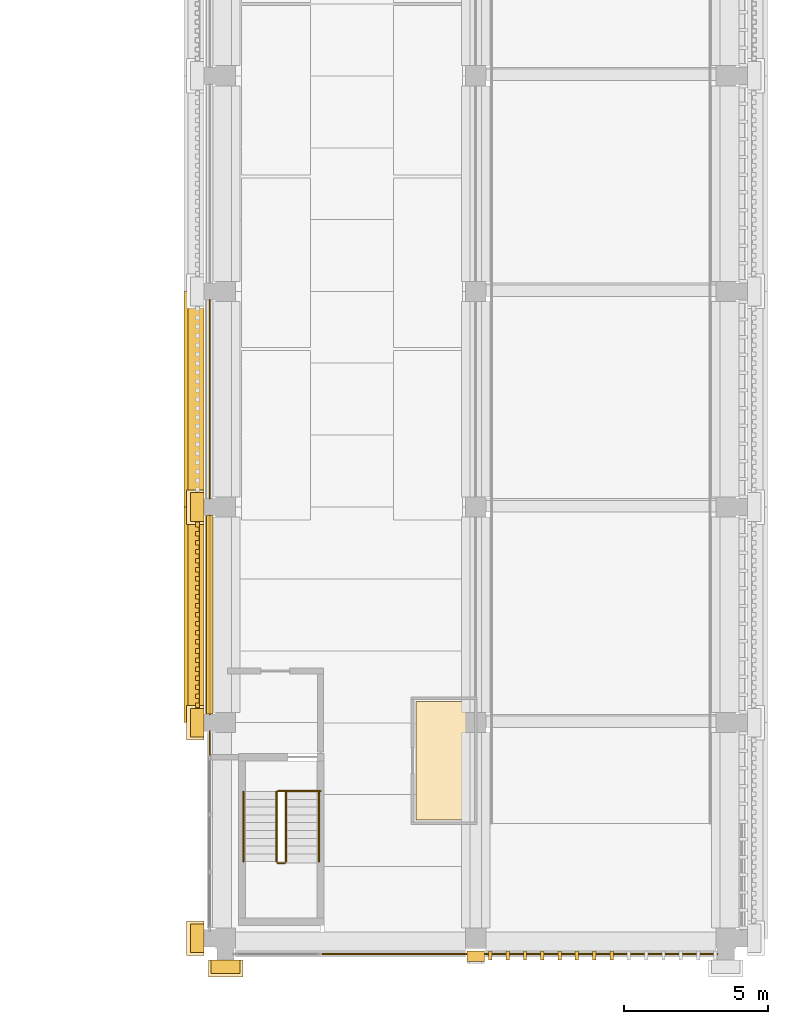
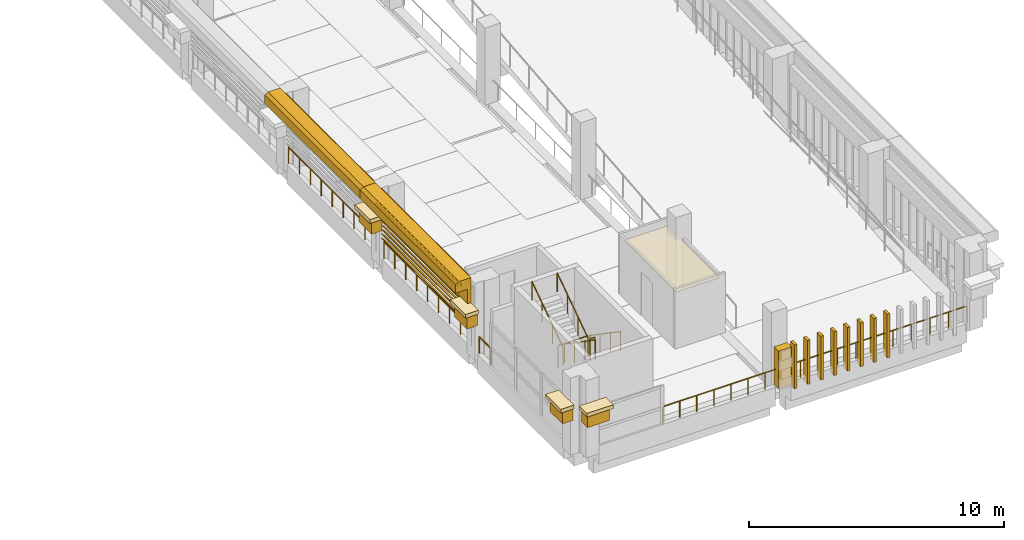
# One storey, part 18 of 25: 23 coverings, 11 railings, 5 shading devices.
"""IFC4 building model written with IfcOpenShell, lengths in metres."""

from ifc_helpers import new_model, si_unit, direction, frame, origin, origin_2d, place, context, subcontext, project, spatial, polyline, circle, outline, extrude, material, layer, layer_set, type_object, element, save


model = new_model("IFC4")

# Units and contexts
model_context = context("Model", 3, precision=1e-05, world=origin(), true_north=direction((0.0, 1.0)))
body_context = subcontext(model_context, "Body", "Model", "MODEL_VIEW")
ifc_project = project(units=[si_unit("LENGTHUNIT", "METRE"), si_unit("AREAUNIT", "SQUARE_METRE"), si_unit("VOLUMEUNIT", "CUBIC_METRE"), si_unit("PLANEANGLEUNIT", "RADIAN"), si_unit("MASSUNIT", "GRAM", prefix="KILO")], contexts=[model_context])

# Site, building, storey
site_placement = place(None, origin())
site = spatial("IfcSite", under=ifc_project, at=site_placement, CompositionType="ELEMENT")
building_placement = place(site_placement, origin())
building = spatial("IfcBuilding", under=site, at=building_placement, Name="Cour d'Honneur Mobility Palace", CompositionType="ELEMENT")
storey_placement = place(building_placement, frame((0.0, 0.0, 30.39990234375)))
storey = spatial("IfcBuildingStorey", under=building, at=storey_placement, Name="L08", CompositionType="ELEMENT", Elevation=30.39990234375)

# Railings
ifc_material_1 = material(Name="Painted steel", Category="steel")
railing_type_1 = type_object("IfcRailingType", Name="Balustrade", PredefinedType="BALUSTRADE", material=ifc_material_1)
railing_1_placement = place(storey_placement, frame((148.199951171875, -0.550048828125, 0.300048828125)))
element("IfcRailing", 1, at=railing_1_placement, inside=storey, type_object=railing_type_1, Name="Balustrade BAL-400", PredefinedType="BALUSTRADE", context=body_context, shape_type="SweptSolid", body=[
    extrude(circle(Radius=0.02392578125, at=origin_2d()), frame((0.0, 0.0, 0.77587890625), z_axis=(1.0, 0.0, 0.0), x_axis=(0.0, 1.0, 0.0)), (0.0, 0.0, 1.0), 5.400146484375),
    extrude(circle(Radius=0.02099609375, at=origin_2d()), origin(), (0.0, 0.0, 1.0), 0.751953125),
    extrude(circle(Radius=0.02099609375, at=origin_2d()), frame((0.771484375, 0.0, 0.0)), (0.0, 0.0, 1.0), 0.751953125),
    extrude(circle(Radius=0.02099609375, at=origin_2d()), frame((1.54296875, 0.0, 0.0)), (0.0, 0.0, 1.0), 0.751953125),
    extrude(circle(Radius=0.02099609375, at=origin_2d()), frame((2.314453125, 0.0, 0.0)), (0.0, 0.0, 1.0), 0.751953125),
    extrude(circle(Radius=0.02099609375, at=origin_2d()), frame((3.085693359375, 0.0, 0.0)), (0.0, 0.0, 1.0), 0.751953125),
    extrude(circle(Radius=0.02099609375, at=origin_2d()), frame((3.857177734375, 0.0, 0.0)), (0.0, 0.0, 1.0), 0.751953125),
    extrude(circle(Radius=0.02099609375, at=origin_2d()), frame((4.628662109375, 0.0, 0.0)), (0.0, 0.0, 1.0), 0.751953125),
    extrude(circle(Radius=0.02099609375, at=origin_2d()), frame((5.400146484375, 0.0, 0.0)), (0.0, 0.0, 1.0), 0.751953125),
])
railing_2_placement = place(storey_placement, frame((153.60009765625, -0.550048828125, 0.300048828125)))
element("IfcRailing", 2, at=railing_2_placement, inside=storey, type_object=railing_type_1, Name="Balustrade BAL-401", PredefinedType="BALUSTRADE", context=body_context, shape_type="SweptSolid", body=[
    extrude(circle(Radius=0.02392578125, at=origin_2d()), frame((0.0, 0.0, 0.77587890625), z_axis=(1.0, 0.0, 0.0), x_axis=(0.0, 1.0, 0.0)), (0.0, 0.0, 1.0), 8.39990234375),
    extrude(circle(Radius=0.02099609375, at=origin_2d()), origin(), (0.0, 0.0, 1.0), 0.751953125),
    extrude(circle(Radius=0.02099609375, at=origin_2d()), frame((0.840087890625, 0.0, 0.0)), (0.0, 0.0, 1.0), 0.751953125),
    extrude(circle(Radius=0.02099609375, at=origin_2d()), frame((1.679931640625, 0.0, 0.0)), (0.0, 0.0, 1.0), 0.751953125),
    extrude(circle(Radius=0.02099609375, at=origin_2d()), frame((2.52001953125, 0.0, 0.0)), (0.0, 0.0, 1.0), 0.751953125),
    extrude(circle(Radius=0.02099609375, at=origin_2d()), frame((3.35986328125, 0.0, 0.0)), (0.0, 0.0, 1.0), 0.751953125),
    extrude(circle(Radius=0.02099609375, at=origin_2d()), frame((4.199951171875, 0.0, 0.0)), (0.0, 0.0, 1.0), 0.751953125),
    extrude(circle(Radius=0.02099609375, at=origin_2d()), frame((5.0400390625, 0.0, 0.0)), (0.0, 0.0, 1.0), 0.751953125),
    extrude(circle(Radius=0.02099609375, at=origin_2d()), frame((5.8798828125, 0.0, 0.0)), (0.0, 0.0, 1.0), 0.751953125),
    extrude(circle(Radius=0.02099609375, at=origin_2d()), frame((6.719970703125, 0.0, 0.0)), (0.0, 0.0, 1.0), 0.751953125),
    extrude(circle(Radius=0.02099609375, at=origin_2d()), frame((7.559814453125, 0.0, 0.0)), (0.0, 0.0, 1.0), 0.751953125),
    extrude(circle(Radius=0.02099609375, at=origin_2d()), frame((8.39990234375, 0.0, 0.0)), (0.0, 0.0, 1.0), 0.751953125),
])
for number, where, name in (
    (3, (144.35009765625, 22.199951171875, 0.300048828125), "Balustrade BAL-409"),
    (4, (144.35009765625, 14.699951171875, 0.300048828125), "Balustrade BAL-410"),
):
    element("IfcRailing", number, at=place(storey_placement, frame(where)), inside=storey, type_object=railing_type_1, Name=name, PredefinedType="BALUSTRADE", context=body_context, shape_type="SweptSolid", body=[
        extrude(circle(Radius=0.02392578125, at=origin_2d()), frame((0.0, 0.0, 0.77587890625), z_axis=(0.0, -1.0, 0.0), x_axis=(1.0, 0.0, 0.0)), (0.0, 0.0, 1.0), 6.89990234375),
        extrude(circle(Radius=0.02099609375, at=origin_2d()), origin(), (0.0, 0.0, 1.0), 0.751953125),
        extrude(circle(Radius=0.02099609375, at=origin_2d()), frame((0.0, -0.862548828125, 0.0)), (0.0, 0.0, 1.0), 0.751953125),
        extrude(circle(Radius=0.02099609375, at=origin_2d()), frame((0.0, -1.72509765625, 0.0)), (0.0, 0.0, 1.0), 0.751953125),
        extrude(circle(Radius=0.02099609375, at=origin_2d()), frame((0.0, -2.58740234375, 0.0)), (0.0, 0.0, 1.0), 0.751953125),
        extrude(circle(Radius=0.02099609375, at=origin_2d()), frame((0.0, -3.449951171875, 0.0)), (0.0, 0.0, 1.0), 0.751953125),
        extrude(circle(Radius=0.02099609375, at=origin_2d()), frame((0.0, -4.3125, 0.0)), (0.0, 0.0, 1.0), 0.751953125),
        extrude(circle(Radius=0.02099609375, at=origin_2d()), frame((0.0, -5.1748046875, 0.0)), (0.0, 0.0, 1.0), 0.751953125),
        extrude(circle(Radius=0.02099609375, at=origin_2d()), frame((0.0, -6.037353515625, 0.0)), (0.0, 0.0, 1.0), 0.751953125),
        extrude(circle(Radius=0.02099609375, at=origin_2d()), frame((0.0, -6.89990234375, 0.0)), (0.0, 0.0, 1.0), 0.751953125),
    ])
railing_3_placement = place(storey_placement, frame((144.35009765625, 7.199951171875, 0.300048828125)))
element("IfcRailing", 5, at=railing_3_placement, inside=storey, type_object=railing_type_1, Name="Balustrade BAL-411", PredefinedType="BALUSTRADE", context=body_context, shape_type="SweptSolid", body=[
    extrude(circle(Radius=0.02392578125, at=origin_2d()), frame((0.0, 0.0, 0.77587890625), z_axis=(0.0, -1.0, 0.0), x_axis=(1.0, 0.0, 0.0)), (0.0, 0.0, 1.0), 0.89990234375),
    extrude(circle(Radius=0.02099609375, at=origin_2d()), origin(), (0.0, 0.0, 1.0), 0.751953125),
    extrude(circle(Radius=0.02099609375, at=origin_2d()), frame((0.0, -0.89990234375, 0.0)), (0.0, 0.0, 1.0), 0.751953125),
])

# Coverings
ifc_material_2 = material(Name="Cast limestone", Category="masonry")
ifc_layer_1 = layer(ifc_material_2, 0.14990234375)
ifc_layer_set_1 = layer_set([ifc_layer_1], Name="Cast limestone")
covering_type_1 = type_object("IfcCoveringType", Name="Dentil course", PredefinedType="CLADDING", material=ifc_layer_set_1)
covering_1_placement = place(storey_placement, frame((0.0, 0.0, 3.150146484375)))
element("IfcCovering", 6, at=covering_1_placement, inside=storey, type_object=covering_type_1, Name="Dentil course DC-142", PredefinedType="CLADDING", context=body_context, shape_type="SweptSolid", body=[
    extrude(outline(polyline([(144.0, 14.550048828125), (144.0, 7.949951171875), (143.969970703125, 7.949951171875), (143.969970703125, 7.949951171875), (143.969970703125, 8.028564453125), (143.85009765625, 8.028564453125), (143.85009765625, 8.185791015625), (143.969970703125, 8.185791015625), (143.969970703125, 8.264404296875), (143.969970703125, 8.264404296875), (143.969970703125, 8.3427734375), (143.85009765625, 8.3427734375), (143.85009765625, 8.5), (143.969970703125, 8.5), (143.969970703125, 8.57861328125), (143.969970703125, 8.57861328125), (143.969970703125, 8.6572265625), (143.85009765625, 8.6572265625), (143.85009765625, 8.814208984375), (143.969970703125, 8.814208984375), (143.969970703125, 8.892822265625), (143.969970703125, 8.892822265625), (143.969970703125, 8.971435546875), (143.85009765625, 8.971435546875), (143.85009765625, 9.128662109375), (143.969970703125, 9.128662109375), (143.969970703125, 9.20703125), (143.969970703125, 9.20703125), (143.969970703125, 9.28564453125), (143.85009765625, 9.28564453125), (143.85009765625, 9.44287109375), (143.969970703125, 9.44287109375), (143.969970703125, 9.521484375), (143.969970703125, 9.521484375), (143.969970703125, 9.60009765625), (143.85009765625, 9.60009765625), (143.85009765625, 9.757080078125), (143.969970703125, 9.757080078125), (143.969970703125, 9.835693359375), (143.969970703125, 9.835693359375), (143.969970703125, 9.914306640625), (143.85009765625, 9.914306640625), (143.85009765625, 10.071533203125), (143.969970703125, 10.071533203125), (143.969970703125, 10.14990234375), (143.969970703125, 10.14990234375), (143.969970703125, 10.228515625), (143.85009765625, 10.228515625), (143.85009765625, 10.3857421875), (143.969970703125, 10.3857421875), (143.969970703125, 10.46435546875), (143.969970703125, 10.46435546875), (143.969970703125, 10.54296875), (143.85009765625, 10.54296875), (143.85009765625, 10.699951171875), (143.969970703125, 10.699951171875), (143.969970703125, 10.778564453125), (143.969970703125, 10.778564453125), (143.969970703125, 10.857177734375), (143.85009765625, 10.857177734375), (143.85009765625, 11.014404296875), (143.969970703125, 11.014404296875), (143.969970703125, 11.0927734375), (143.969970703125, 11.0927734375), (143.969970703125, 11.17138671875), (143.85009765625, 11.17138671875), (143.85009765625, 11.32861328125), (143.969970703125, 11.32861328125), (143.969970703125, 11.4072265625), (143.969970703125, 11.4072265625), (143.969970703125, 11.485595703125), (143.85009765625, 11.485595703125), (143.85009765625, 11.642822265625), (143.969970703125, 11.642822265625), (143.969970703125, 11.721435546875), (143.969970703125, 11.721435546875), (143.969970703125, 11.800048828125), (143.85009765625, 11.800048828125), (143.85009765625, 11.95703125), (143.969970703125, 11.95703125), (143.969970703125, 12.03564453125), (143.969970703125, 12.03564453125), (143.969970703125, 12.1142578125), (143.85009765625, 12.1142578125), (143.85009765625, 12.271484375), (143.969970703125, 12.271484375), (143.969970703125, 12.35009765625), (143.969970703125, 12.35009765625), (143.969970703125, 12.428466796875), (143.85009765625, 12.428466796875), (143.85009765625, 12.585693359375), (143.969970703125, 12.585693359375), (143.969970703125, 12.664306640625), (143.969970703125, 12.664306640625), (143.969970703125, 12.742919921875), (143.85009765625, 12.742919921875), (143.85009765625, 12.89990234375), (143.969970703125, 12.89990234375), (143.969970703125, 12.978515625), (143.969970703125, 12.978515625), (143.969970703125, 13.05712890625), (143.85009765625, 13.05712890625), (143.85009765625, 13.21435546875), (143.969970703125, 13.21435546875), (143.969970703125, 13.29296875), (143.969970703125, 13.29296875), (143.969970703125, 13.371337890625), (143.85009765625, 13.371337890625), (143.85009765625, 13.528564453125), (143.969970703125, 13.528564453125), (143.969970703125, 13.607177734375), (143.969970703125, 13.607177734375), (143.969970703125, 13.685791015625), (143.85009765625, 13.685791015625), (143.85009765625, 13.8427734375), (143.969970703125, 13.8427734375), (143.969970703125, 13.92138671875), (143.969970703125, 13.92138671875), (143.969970703125, 14.0), (143.85009765625, 14.0), (143.85009765625, 14.1572265625), (143.969970703125, 14.1572265625), (143.969970703125, 14.235595703125), (143.969970703125, 14.235595703125), (143.969970703125, 14.314208984375), (143.85009765625, 14.314208984375), (143.85009765625, 14.471435546875), (143.969970703125, 14.471435546875), (143.969970703125, 14.550048828125), (144.0, 14.550048828125)])), origin(), (0.0, 0.0, 1.0), 0.14990234375),
])
ifc_material_3 = material(Name="Cast limestone", Category="masonry")
ifc_layer_2 = layer(ifc_material_3, 0.699951171875)
ifc_layer_set_2 = layer_set([ifc_layer_2], Name="Cast limestone")
covering_type_2 = type_object("IfcCoveringType", Name="Entablature", PredefinedType="CLADDING", material=ifc_layer_set_2)
for number, where, z_axis, x_axis, name in (
    (7, (144.14990234375, 22.5, 2.60009765625), (0.0, 1.0, 0.0), (-1.0, 0.0, 0.0), "Entablature EN-141"),
    (8, (144.14990234375, 15.0, 2.60009765625), (0.0, 1.0, 0.0), (-1.0, 0.0, 0.0), "Entablature EN-142"),
):
    element("IfcCovering", number, at=place(storey_placement, frame(where, z_axis=z_axis, x_axis=x_axis)), inside=storey, type_object=covering_type_2, Name=name, PredefinedType="CLADDING", context=body_context, shape_type="SweptSolid", body=[
        extrude(outline(polyline([(0.0, 0.0), (0.14990234375, 0.0), (0.14990234375, 0.699951171875), (0.699951171875, 0.699951171875), (0.699951171875, 1.10009765625), (0.5498046875, 1.199951171875), (0.0, 1.199951171875), (0.0, 0.0)])), origin(), (0.0, 0.0, -1.0), 7.5),
    ])

# Railings
ifc_material_4 = material(Name="Painted steel", Category="steel")
railing_type_2 = type_object("IfcRailingType", Name="Guardrail 1100", PredefinedType="GUARDRAIL", material=ifc_material_4)
railing_4_placement = place(storey_placement, frame((146.72509765625, 5.1201171875, 0.0)))
element("IfcRailing", 9, at=railing_4_placement, inside=storey, type_object=railing_type_2, Name="Guard ST-RE1", PredefinedType="GUARDRAIL", context=body_context, shape_type="SweptSolid", body=[
    extrude(circle(Radius=0.02490234375, at=origin_2d()), frame((0.0, 0.0, 1.0751953125), z_axis=(1.0, 0.0, 0.0), x_axis=(0.0, 1.0, 0.0)), (0.0, 0.0, 1.0), 1.474853515625),
    extrude(circle(Radius=0.02099609375, at=origin_2d()), origin(), (0.0, 0.0, 1.0), 1.050048828125),
    extrude(circle(Radius=0.02099609375, at=origin_2d()), frame((0.7373046875, 0.0, 0.0)), (0.0, 0.0, 1.0), 1.050048828125),
    extrude(circle(Radius=0.02099609375, at=origin_2d()), frame((1.474853515625, 0.0, 0.0)), (0.0, 0.0, 1.0), 1.050048828125),
])
railing_5_placement = place(storey_placement, frame((146.72509765625, 2.610107421875, 1.85009765625)))
element("IfcRailing", 10, at=railing_5_placement, inside=storey, type_object=railing_type_2, Name="Landing guard ST-RE1", PredefinedType="GUARDRAIL", context=body_context, shape_type="SweptSolid", body=[
    extrude(circle(Radius=0.02490234375, at=origin_2d()), frame((0.0, 0.0, 1.0751953125), z_axis=(1.0, 0.0, 0.0), x_axis=(0.0, 1.0, 0.0)), (0.0, 0.0, 1.0), 0.224853515625),
    extrude(circle(Radius=0.02099609375, at=origin_2d()), origin(), (0.0, 0.0, 1.0), 1.050048828125),
    extrude(circle(Radius=0.02099609375, at=origin_2d()), frame((0.224853515625, 0.0, 0.0)), (0.0, 0.0, 1.0), 1.050048828125),
])
ifc_material_5 = material(Name="Stainless steel", Category="steel")
railing_type_3 = type_object("IfcRailingType", Name="Handrail round 50", PredefinedType="HANDRAIL", material=ifc_material_5)
for number, where, name in (
    (11, (148.14990234375, 5.10009765625, 0.18505859375), "Handrail ST-RE1"),
    (12, (147.0, 5.10009765625, 0.18505859375), "Handrail ST-RE1"),
):
    element("IfcRailing", number, at=place(storey_placement, frame(where)), inside=storey, type_object=railing_type_3, Name=name, PredefinedType="HANDRAIL", context=body_context, shape_type="SweptSolid", body=[
        extrude(circle(Radius=0.02490234375, at=origin_2d()), frame((0.0, 0.0, 0.89501953125), z_axis=(0.0, -0.824945253146, 0.565212640793), x_axis=(1.0, 0.0, 0.0)), (0.0, 0.0, 1.0), 2.94580078125),
        extrude(circle(Radius=0.02099609375, at=origin_2d()), origin(), (0.0, 0.0, 1.0), 0.869873046875),
        extrude(circle(Radius=0.02099609375, at=origin_2d()), frame((0.0, -0.81005859375, 0.554931640625)), (0.0, 0.0, 1.0), 0.869873046875),
        extrude(circle(Radius=0.02099609375, at=origin_2d()), frame((0.0, -1.6201171875, 1.110107421875)), (0.0, 0.0, 1.0), 0.869873046875),
        extrude(circle(Radius=0.02099609375, at=origin_2d()), frame((0.0, -2.43017578125, 1.6650390625)), (0.0, 0.0, 1.0), 0.869873046875),
    ])
for number, where, name in (
    (13, (146.675048828125, 2.669921875, 2.03515625), "Handrail ST-RE1"),
    (14, (145.52490234375, 2.669921875, 2.03515625), "Handrail ST-RE1"),
):
    element("IfcRailing", number, at=place(storey_placement, frame(where)), inside=storey, type_object=railing_type_3, Name=name, PredefinedType="HANDRAIL", context=body_context, shape_type="SweptSolid", body=[
        extrude(circle(Radius=0.02490234375, at=origin_2d()), frame((0.0, 0.0, 0.89501953125), z_axis=(0.0, 0.824945253146, 0.565212640793), x_axis=(-1.0, 0.0, 0.0)), (0.0, 0.0, 1.0), 2.94580078125),
        extrude(circle(Radius=0.02099609375, at=origin_2d()), origin(), (0.0, 0.0, 1.0), 0.869873046875),
        extrude(circle(Radius=0.02099609375, at=origin_2d()), frame((0.0, 0.81005859375, 0.554931640625)), (0.0, 0.0, 1.0), 0.869873046875),
        extrude(circle(Radius=0.02099609375, at=origin_2d()), frame((0.0, 1.6201171875, 1.110107421875)), (0.0, 0.0, 1.0), 0.869873046875),
        extrude(circle(Radius=0.02099609375, at=origin_2d()), frame((0.0, 2.43017578125, 1.6650390625)), (0.0, 0.0, 1.0), 0.869873046875),
    ])

# Coverings
ifc_material_6 = material(Name="Cast limestone", Category="masonry")
ifc_layer_3 = layer(ifc_material_6, 0.35009765625)
ifc_layer_set_3 = layer_set([ifc_layer_3], Name="Cast limestone")
covering_type_3 = type_object("IfcCoveringType", Name="Pier pilaster", PredefinedType="CLADDING", material=ifc_layer_set_3)
covering_2_placement = place(storey_placement, frame((0.0, 0.0, 0.300048828125)))
element("IfcCovering", 15, at=covering_2_placement, inside=storey, type_object=covering_type_3, Name="Pier pilaster PN-16", PredefinedType="CLADDING", context=body_context, shape_type="SweptSolid", body=[
    extrude(outline(polyline([(153.300048828125, -0.449951171875), (153.89990234375, -0.449951171875), (153.89990234375, -0.800048828125), (153.300048828125, -0.800048828125), (153.300048828125, -0.449951171875)])), origin(), (0.0, 0.0, 1.0), 1.800048828125),
])
ifc_material_7 = material(Name="Cast limestone", Category="masonry")
ifc_layer_4 = layer(ifc_material_7, 0.1201171875)
ifc_layer_set_4 = layer_set([ifc_layer_4], Name="Cast limestone")
covering_type_4 = type_object("IfcCoveringType", Name="Pilaster capital", PredefinedType="CLADDING", material=ifc_layer_set_4)
covering_3_placement = place(storey_placement, frame((0.0, 0.0, 1.800048828125)))
element("IfcCovering", 16, at=covering_3_placement, inside=storey, type_object=covering_type_4, Name="Pilaster capital PK-63", PredefinedType="CLADDING", context=body_context, shape_type="SweptSolid", body=[
    extrude(outline(polyline([(144.14990234375, 15.5), (144.14990234375, 14.5), (143.679931640625, 14.5), (143.679931640625, 15.5), (144.14990234375, 15.5)])), origin(), (0.0, 0.0, 1.0), 0.6201171875),
])
covering_4_placement = place(storey_placement, frame((0.0, 0.0, 2.420166015625)))
element("IfcCovering", 17, at=covering_4_placement, inside=storey, type_object=covering_type_4, Name="Pilaster capital PK-64", PredefinedType="CLADDING", context=body_context, shape_type="SweptSolid", body=[
    extrude(outline(polyline([(144.14990234375, 15.60009765625), (144.14990234375, 14.39990234375), (143.550048828125, 14.39990234375), (143.550048828125, 15.60009765625), (144.14990234375, 15.60009765625)])), origin(), (0.0, 0.0, 1.0), 0.179931640625),
])
covering_5_placement = place(storey_placement, frame((0.0, 0.0, 1.800048828125)))
element("IfcCovering", 18, at=covering_5_placement, inside=storey, type_object=covering_type_4, Name="Pilaster capital PK-65", PredefinedType="CLADDING", context=body_context, shape_type="SweptSolid", body=[
    extrude(outline(polyline([(144.14990234375, 8.0), (144.14990234375, 7.0), (143.679931640625, 7.0), (143.679931640625, 8.0), (144.14990234375, 8.0)])), origin(), (0.0, 0.0, 1.0), 0.6201171875),
])
covering_6_placement = place(storey_placement, frame((0.0, 0.0, 2.420166015625)))
element("IfcCovering", 19, at=covering_6_placement, inside=storey, type_object=covering_type_4, Name="Pilaster capital PK-66", PredefinedType="CLADDING", context=body_context, shape_type="SweptSolid", body=[
    extrude(outline(polyline([(144.14990234375, 8.10009765625), (144.14990234375, 6.89990234375), (143.550048828125, 6.89990234375), (143.550048828125, 8.10009765625), (144.14990234375, 8.10009765625)])), origin(), (0.0, 0.0, 1.0), 0.179931640625),
])
covering_7_placement = place(storey_placement, frame((0.0, 0.0, 1.800048828125)))
element("IfcCovering", 20, at=covering_7_placement, inside=storey, type_object=covering_type_4, Name="Pilaster capital PK-67", PredefinedType="CLADDING", context=body_context, shape_type="SweptSolid", body=[
    extrude(outline(polyline([(144.14990234375, 0.5), (144.14990234375, -0.5), (143.679931640625, -0.5), (143.679931640625, 0.5), (144.14990234375, 0.5)])), origin(), (0.0, 0.0, 1.0), 0.6201171875),
])
covering_8_placement = place(storey_placement, frame((0.0, 0.0, 2.420166015625)))
element("IfcCovering", 21, at=covering_8_placement, inside=storey, type_object=covering_type_4, Name="Pilaster capital PK-68", PredefinedType="CLADDING", context=body_context, shape_type="SweptSolid", body=[
    extrude(outline(polyline([(144.14990234375, 0.60009765625), (144.14990234375, -0.60009765625), (143.550048828125, -0.60009765625), (143.550048828125, 0.60009765625), (144.14990234375, 0.60009765625)])), origin(), (0.0, 0.0, 1.0), 0.179931640625),
])
covering_9_placement = place(storey_placement, frame((0.0, 0.0, 1.800048828125)))
element("IfcCovering", 22, at=covering_9_placement, inside=storey, type_object=covering_type_4, Name="Pilaster capital PK-69", PredefinedType="CLADDING", context=body_context, shape_type="SweptSolid", body=[
    extrude(outline(polyline([(144.39990234375, -0.75), (145.39990234375, -0.75), (145.39990234375, -1.219970703125), (144.39990234375, -1.219970703125), (144.39990234375, -0.75)])), origin(), (0.0, 0.0, 1.0), 0.6201171875),
])
covering_10_placement = place(storey_placement, frame((0.0, 0.0, 2.420166015625)))
element("IfcCovering", 23, at=covering_10_placement, inside=storey, type_object=covering_type_4, Name="Pilaster capital PK-70", PredefinedType="CLADDING", context=body_context, shape_type="SweptSolid", body=[
    extrude(outline(polyline([(144.300048828125, -0.75), (145.5, -0.75), (145.5, -1.35009765625), (144.300048828125, -1.35009765625), (144.300048828125, -0.75)])), origin(), (0.0, 0.0, 1.0), 0.179931640625),
])
ifc_material_8 = material(Name="Cast limestone", Category="masonry")
ifc_layer_5 = layer(ifc_material_8, 0.1201171875)
ifc_layer_set_5 = layer_set([ifc_layer_5], Name="Cast limestone")
covering_type_5 = type_object("IfcCoveringType", Name="Ramp screen fin", PredefinedType="CLADDING", material=ifc_layer_set_5)
covering_11_placement = place(storey_placement, origin())
element("IfcCovering", 24, at=covering_11_placement, inside=storey, type_object=covering_type_5, Name="Ramp screen fin S4.1 L08 1", PredefinedType="CLADDING", context=body_context, shape_type="SweptSolid", body=[
    extrude(outline(polyline([(154.050048828125, -0.449951171875), (154.169921875, -0.449951171875), (154.169921875, -0.75), (154.050048828125, -0.75), (154.050048828125, -0.449951171875)])), origin(), (0.0, 0.0, 1.0), 2.10009765625),
])
covering_12_placement = place(storey_placement, origin())
element("IfcCovering", 25, at=covering_12_placement, inside=storey, type_object=covering_type_5, Name="Ramp screen fin S4.1 L08 2", PredefinedType="CLADDING", context=body_context, shape_type="SweptSolid", body=[
    extrude(outline(polyline([(154.65234375, -0.449951171875), (154.772216796875, -0.449951171875), (154.772216796875, -0.75), (154.65234375, -0.75), (154.65234375, -0.449951171875)])), origin(), (0.0, 0.0, 1.0), 2.10009765625),
])
covering_13_placement = place(storey_placement, origin())
element("IfcCovering", 26, at=covering_13_placement, inside=storey, type_object=covering_type_5, Name="Ramp screen fin S4.1 L08 3", PredefinedType="CLADDING", context=body_context, shape_type="SweptSolid", body=[
    extrude(outline(polyline([(155.254638671875, -0.449951171875), (155.37451171875, -0.449951171875), (155.37451171875, -0.75), (155.254638671875, -0.75), (155.254638671875, -0.449951171875)])), origin(), (0.0, 0.0, 1.0), 2.10009765625),
])
covering_14_placement = place(storey_placement, origin())
element("IfcCovering", 27, at=covering_14_placement, inside=storey, type_object=covering_type_5, Name="Ramp screen fin S4.1 L08 4", PredefinedType="CLADDING", context=body_context, shape_type="SweptSolid", body=[
    extrude(outline(polyline([(155.85693359375, -0.449951171875), (155.976806640625, -0.449951171875), (155.976806640625, -0.75), (155.85693359375, -0.75), (155.85693359375, -0.449951171875)])), origin(), (0.0, 0.0, 1.0), 2.10009765625),
])
covering_15_placement = place(storey_placement, origin())
element("IfcCovering", 28, at=covering_15_placement, inside=storey, type_object=covering_type_5, Name="Ramp screen fin S4.1 L08 5", PredefinedType="CLADDING", context=body_context, shape_type="SweptSolid", body=[
    extrude(outline(polyline([(156.459228515625, -0.449951171875), (156.579345703125, -0.449951171875), (156.579345703125, -0.75), (156.459228515625, -0.75), (156.459228515625, -0.449951171875)])), origin(), (0.0, 0.0, 1.0), 2.10009765625),
])
covering_16_placement = place(storey_placement, origin())
element("IfcCovering", 29, at=covering_16_placement, inside=storey, type_object=covering_type_5, Name="Ramp screen fin S4.1 L08 6", PredefinedType="CLADDING", context=body_context, shape_type="SweptSolid", body=[
    extrude(outline(polyline([(157.0615234375, -0.449951171875), (157.181640625, -0.449951171875), (157.181640625, -0.75), (157.0615234375, -0.75), (157.0615234375, -0.449951171875)])), origin(), (0.0, 0.0, 1.0), 2.10009765625),
])
covering_17_placement = place(storey_placement, origin())
element("IfcCovering", 30, at=covering_17_placement, inside=storey, type_object=covering_type_5, Name="Ramp screen fin S4.1 L08 7", PredefinedType="CLADDING", context=body_context, shape_type="SweptSolid", body=[
    extrude(outline(polyline([(157.663818359375, -0.449951171875), (157.783935546875, -0.449951171875), (157.783935546875, -0.75), (157.663818359375, -0.75), (157.663818359375, -0.449951171875)])), origin(), (0.0, 0.0, 1.0), 2.10009765625),
])
covering_18_placement = place(storey_placement, origin())
element("IfcCovering", 31, at=covering_18_placement, inside=storey, type_object=covering_type_5, Name="Ramp screen fin S4.1 L08 8", PredefinedType="CLADDING", context=body_context, shape_type="SweptSolid", body=[
    extrude(outline(polyline([(158.26611328125, -0.449951171875), (158.38623046875, -0.449951171875), (158.38623046875, -0.75), (158.26611328125, -0.75), (158.26611328125, -0.449951171875)])), origin(), (0.0, 0.0, 1.0), 2.10009765625),
])
ifc_material_9 = material(Name="Cast limestone", Category="masonry")
ifc_layer_6 = layer(ifc_material_9, 0.25)
ifc_layer_set_6 = layer_set([ifc_layer_6], Name="Cast limestone")
covering_type_6 = type_object("IfcCoveringType", Name="Spandrel cladding", PredefinedType="CLADDING", material=ifc_layer_set_6)
for number, where, z_axis, x_axis, name in (
    (32, (144.449951171875, 22.199951171875, 2.300048828125), (0.0, 1.0, 0.0), (-1.0, 0.0, 0.0), "Spandrel cladding SK-408"),
    (33, (144.449951171875, 14.699951171875, 2.300048828125), (0.0, 1.0, 0.0), (-1.0, 0.0, 0.0), "Spandrel cladding SK-409"),
):
    element("IfcCovering", number, at=place(storey_placement, frame(where, z_axis=z_axis, x_axis=x_axis)), inside=storey, type_object=covering_type_6, Name=name, PredefinedType="CLADDING", context=body_context, shape_type="SweptSolid", body=[
        extrude(outline(polyline([(0.0, 0.0), (0.25, 0.0), (0.25, 1.400146484375), (0.199951171875, 1.400146484375), (0.199951171875, 0.800048828125), (0.0, 0.800048828125), (0.0, 0.0)])), origin(), (0.0, 0.0, -1.0), 6.89990234375),
    ])
ifc_material_10 = material(Name="Suspended ceiling")
ifc_layer_7 = layer(ifc_material_10, 0.030029296875)
ifc_layer_set_7 = layer_set([ifc_layer_7], Name="Suspended ceiling")
covering_type_7 = type_object("IfcCoveringType", Name="Suspended ceiling", PredefinedType="CEILING", material=ifc_layer_set_7)
covering_19_placement = place(storey_placement, frame((0.0, 0.0, 2.550048828125)))
element("IfcCovering", 34, at=covering_19_placement, inside=storey, type_object=covering_type_7, Name="Ceiling Valet Handover East", PredefinedType="CEILING", context=body_context, shape_type="SweptSolid", body=[
    extrude(outline(polyline([(153.47998046875, 4.1201171875), (151.52001953125, 4.1201171875), (151.52001953125, 8.22998046875), (153.47998046875, 8.22998046875), (153.47998046875, 4.1201171875)])), origin(), (0.0, 0.0, 1.0), 0.030029296875),
])

# Shading devices
ifc_material_11 = material(Name="Terracotta", Category="masonry")
ifc_layer_8 = layer(ifc_material_11, 0.02490234375)
ifc_layer_set_8 = layer_set([ifc_layer_8], Name="Terracotta")
shading_device_type = type_object("IfcShadingDeviceType", Name="Terracotta louvre blade", PredefinedType="JALOUSIE", material=ifc_layer_set_8)
for number, where, z_axis, x_axis, name in (
    (35, (144.4560546875, 14.699951171875, 1.10009765625), (0.707106781187, 0.0, 0.707106781187), (0.0, -1.0, 0.0), "Louvre blade LV-1 W7.5 L08 1"),
    (36, (144.4560546875, 14.699951171875, 1.312255859375), (0.707106781187, 0.0, 0.707106781187), (0.0, -1.0, 0.0), "Louvre blade LV-1 W7.5 L08 2"),
    (37, (144.4560546875, 14.699951171875, 1.5244140625), (0.707106781187, 0.0, 0.707106781187), (0.0, -1.0, 0.0), "Louvre blade LV-1 W7.5 L08 3"),
    (38, (144.4560546875, 14.699951171875, 1.736572265625), (0.707106781187, 0.0, 0.707106781187), (0.0, -1.0, 0.0), "Louvre blade LV-1 W7.5 L08 4"),
):
    element("IfcShadingDevice", number, at=place(storey_placement, frame(where, z_axis=z_axis, x_axis=x_axis)), inside=storey, type_object=shading_device_type, Name=name, PredefinedType="JALOUSIE", context=body_context, shape_type="SweptSolid", body=[
        extrude(outline(polyline([(0.0, 0.0), (6.89990234375, 0.0), (6.89990234375, -0.300037008228081), (0.0, -0.300037008228081), (0.0, 0.0)])), origin(), (0.0, 0.0, -1.0), 0.02490234375),
    ])
shading_device_placement = place(storey_placement, frame((144.4560546875, 14.699951171875, 1.94873046875), z_axis=(0.706699578995, 0.0, 0.707513749017), x_axis=(0.0, -1.0, 0.0)))
element("IfcShadingDevice", 39, at=shading_device_placement, inside=storey, type_object=shading_device_type, Name="Louvre blade LV-1 W7.5 L08 5", PredefinedType="JALOUSIE", context=body_context, shape_type="SweptSolid", body=[
    extrude(outline(polyline([(0.0, 0.0), (6.89990234375, 0.0), (6.89990234375, -0.29986442442957895), (0.0, -0.29986442442957895), (0.0, 0.0)])), origin(), (0.0, 0.0, -1.0), 0.02490234375),
])

save(model, "model.ifc")
